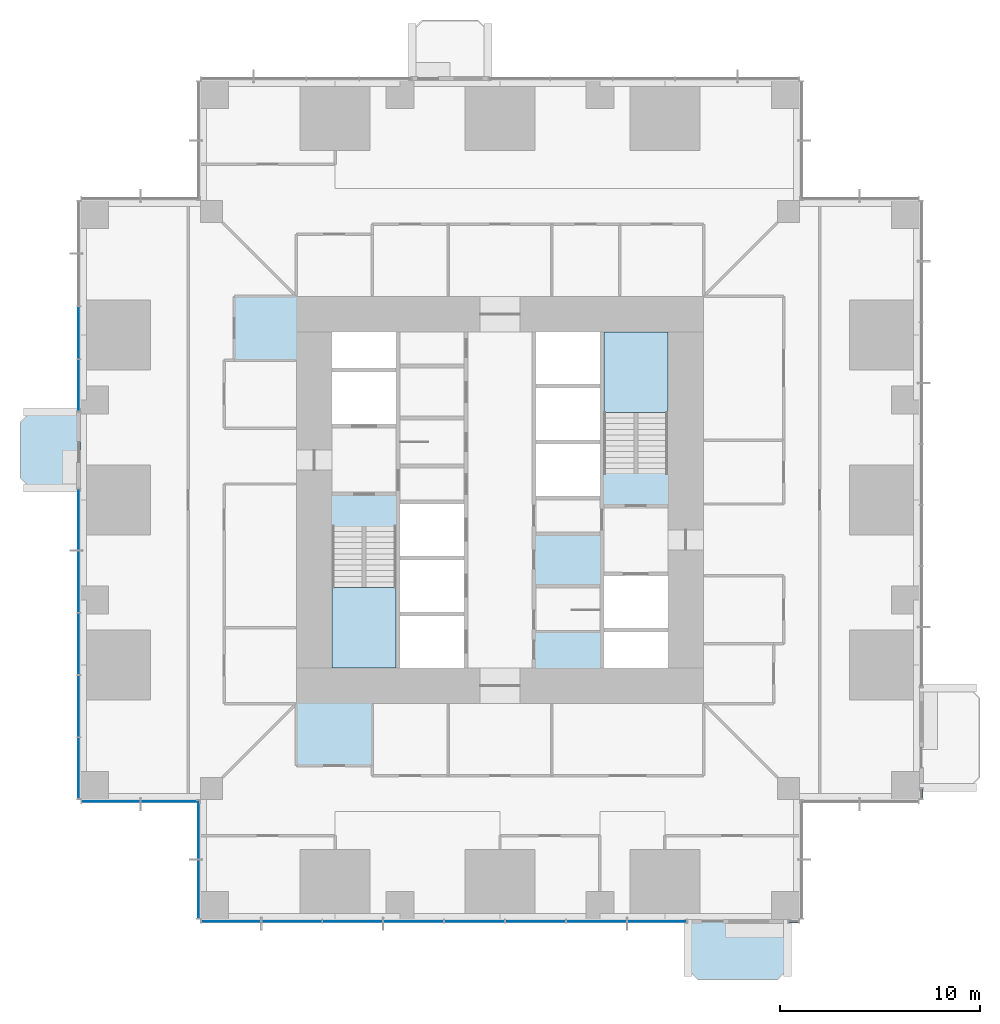
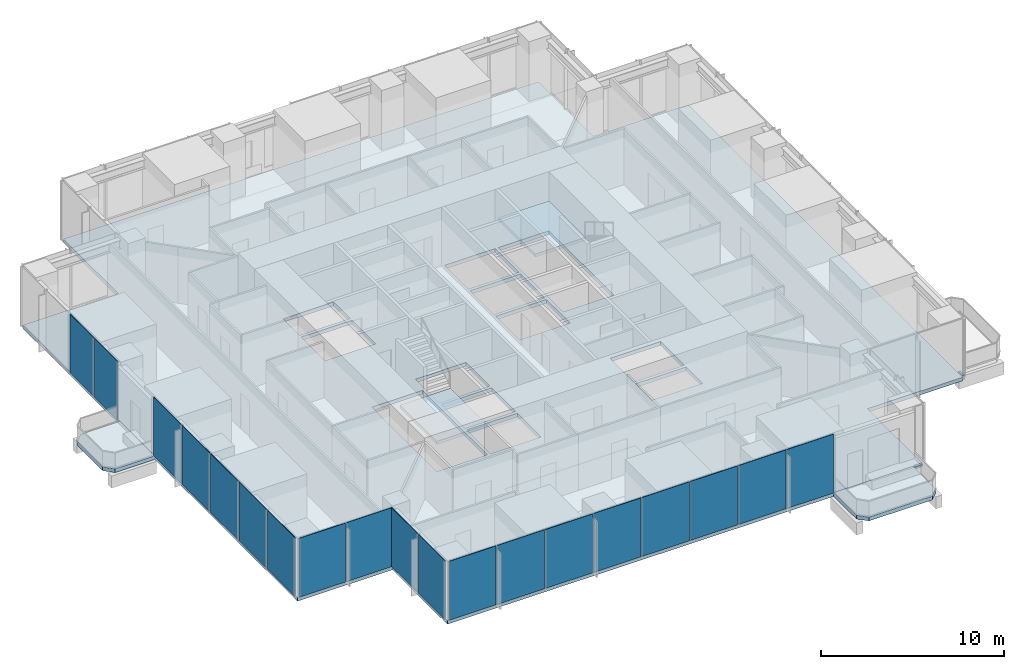
# One storey, part 7 of 15: 19 plates, 5 slabs, 2 members, 9 elements without a shape of their own.
"""IFC4 building model written with IfcOpenShell, lengths in metres."""

from ifc_helpers import new_model, si_unit, direction, frame, origin, origin_2d, place, context, subcontext, project, spatial, polyline, rectangle, outline, extrude, material, layer, layer_set, material_profile, profile_set, type_object, element, aggregate, save


model = new_model("IFC4")

# Units and contexts
model_context = context("Model", 3, precision=1e-05, world=origin(), true_north=direction((0.0, 1.0)))
body_context = subcontext(model_context, "Body", "Model", "MODEL_VIEW")
ifc_project = project(units=[si_unit("LENGTHUNIT", "METRE"), si_unit("AREAUNIT", "SQUARE_METRE"), si_unit("VOLUMEUNIT", "CUBIC_METRE"), si_unit("PLANEANGLEUNIT", "RADIAN"), si_unit("MASSUNIT", "GRAM", prefix="KILO")], contexts=[model_context])

# Site, building, storey
site_placement = place(None, origin())
site = spatial("IfcSite", under=ifc_project, at=site_placement, CompositionType="ELEMENT")
building_placement = place(site_placement, origin())
building = spatial("IfcBuilding", under=site, at=building_placement, Name="Svetlomir Tower", CompositionType="ELEMENT")
storey_placement = place(building_placement, frame((0.0, 0.0, 26.5)))
storey = spatial("IfcBuildingStorey", under=building, at=storey_placement, Name="L05", CompositionType="ELEMENT", Elevation=26.5)

# Curtain wall, member
ifc_material_1 = material(Name="Bronze anodised aluminium curtain wall", Category="aluminium")
curtain_wall_type = type_object("IfcCurtainWallType", Name="CURTAIN WALL CW1 TOWER OFFICE", PredefinedType="NOTDEFINED", material=ifc_material_1)
curtain_wall_1_placement = place(storey_placement, origin())
curtain_wall_1 = element("IfcCurtainWall", 1, at=curtain_wall_1_placement, inside=storey, type_object=curtain_wall_type, Name="Curtain wall CW1 L05", PredefinedType="NOTDEFINED")
ifc_material_2 = material(Name="Bronze anodised aluminium", Category="aluminium")
ifc_material_profile = material_profile(ifc_material_2, rectangle(XDim=0.139892578125, YDim=0.06494140625, at=origin_2d()), Name="AL 140x65")
ifc_profile_set = profile_set([ifc_material_profile], Name="Bronze anodised aluminium 6063-T6")
member_type = type_object("IfcMemberType", Name="CW1 TRANSOM 65x140", PredefinedType="USERDEFINED", material=ifc_profile_set)
member_1_placement = place(storey_placement, frame((35.465087890625, -0.10009765625, 0.032470703125), z_axis=(1.0, 0.0, 0.0), x_axis=(0.0, 1.0, 0.0)))
member_1 = element("IfcMember", 2, at=member_1_placement, type_object=member_type, Name="CW1 transom 1.1", ObjectType="TRANSOM", PredefinedType="USERDEFINED", context=body_context, shape_type="SweptSolid", body=[
    extrude(rectangle(XDim=0.139892578125, YDim=0.06494140625, at=origin_2d()), origin(), (0.0, 0.0, 1.0), 0.469970703125),
])
aggregate(curtain_wall_1, [member_1])

curtain_wall_2_placement = place(storey_placement, origin())
curtain_wall_2 = element("IfcCurtainWall", 3, at=curtain_wall_2_placement, inside=storey, type_object=curtain_wall_type, Name="Curtain wall CW1 L05", PredefinedType="NOTDEFINED")
member_2_placement = place(storey_placement, frame((42.10009765625, 6.06494140625, 0.032470703125), z_axis=(0.0, 1.0, 0.0), x_axis=(-1.0, 0.0, 0.0)))
member_2 = element("IfcMember", 4, at=member_2_placement, type_object=member_type, Name="CW1 transom 1.1", ObjectType="TRANSOM", PredefinedType="USERDEFINED", context=body_context, shape_type="SweptSolid", body=[
    extrude(rectangle(XDim=0.139892578125, YDim=0.06494140625, at=origin_2d()), origin(), (0.0, 0.0, 1.0), 0.469970703125),
])
aggregate(curtain_wall_2, [member_2])

# Slabs
ifc_material_3 = material(Name="Concrete C60/75", Category="concrete")
ifc_layer_1 = layer(ifc_material_3, 0.25)
ifc_layer_set_1 = layer_set([ifc_layer_1], Name="Concrete C60/75")
slab_type_1 = type_object("IfcSlabType", Name="BALCONY SLAB 250", PredefinedType="FLOOR", material=ifc_layer_set_1)
slab_1_placement = place(storey_placement, frame((0.0, 0.0, -0.25)))
element("IfcSlab", 5, at=slab_1_placement, inside=storey, type_object=slab_type_1, Name="L05 S planted balcony", PredefinedType="FLOOR", context=body_context, shape_type="SweptSolid", body=[
    extrude(outline(polyline([(30.39990234375, -2.5), (30.89990234375, -3.0), (34.89990234375, -3.0), (35.39990234375, -2.5), (35.39990234375, 0.0), (30.39990234375, 0.0), (30.39990234375, -2.5)])), origin(), (0.0, 0.0, 1.0), 0.25),
])
slab_2_placement = place(storey_placement, frame((0.0, 0.0, -0.25)))
element("IfcSlab", 6, at=slab_2_placement, inside=storey, type_object=slab_type_1, Name="L05 W planted balcony", PredefinedType="FLOOR", context=body_context, shape_type="SweptSolid", body=[
    extrude(outline(polyline([(-2.5, 21.60009765625), (0.0, 21.60009765625), (0.0, 25.39990234375), (-2.5, 25.39990234375), (-3.0, 24.89990234375), (-3.0, 22.10009765625), (-2.5, 21.60009765625)])), origin(), (0.0, 0.0, 1.0), 0.25),
])

# Curtain wall, plates
curtain_wall_3_placement = place(storey_placement, origin())
curtain_wall_3 = element("IfcCurtainWall", 7, at=curtain_wall_3_placement, inside=storey, type_object=curtain_wall_type, Name="Curtain wall CW1 L05", PredefinedType="NOTDEFINED")
ifc_material_4 = material(Name="Tinted double glazed unit", Category="glass")
ifc_layer_2 = layer(ifc_material_4, 0.031982421875)
ifc_layer_set_2 = layer_set([ifc_layer_2], Name="Tinted double glazed unit")
plate_type = type_object("IfcPlateType", Name="CW1 GLAZED PANEL 32", PredefinedType="CURTAIN_PANEL", material=ifc_layer_set_2)
plate_1_placement = place(storey_placement, frame((7.541259765625, -0.10009765625, 0.06494140625), z_axis=(0.0, 0.0, 1.0), x_axis=(1.0, 0.0, 0.0)))
plate_1 = element("IfcPlate", 8, at=plate_1_placement, type_object=plate_type, Name="CW1 panel 1.1", PredefinedType="CURTAIN_PANEL", context=body_context, shape_type="SweptSolid", body=[
    extrude(rectangle(XDim=2.952392578125, YDim=0.031982421875, at=origin_2d()), origin(), (0.0, 0.0, 1.0), 3.93505859375),
])
plate_2_placement = place(storey_placement, frame((10.574951171875, -0.10009765625, 0.06494140625), z_axis=(0.0, 0.0, 1.0), x_axis=(1.0, 0.0, 0.0)))
plate_2 = element("IfcPlate", 9, at=plate_2_placement, type_object=plate_type, Name="CW1 panel 2.1", PredefinedType="CURTAIN_PANEL", context=body_context, shape_type="SweptSolid", body=[
    extrude(rectangle(XDim=2.985107421875, YDim=0.031982421875, at=origin_2d()), origin(), (0.0, 0.0, 1.0), 3.93505859375),
])
plate_3_placement = place(storey_placement, frame((13.625, -0.10009765625, 0.06494140625), z_axis=(0.0, 0.0, 1.0), x_axis=(1.0, 0.0, 0.0)))
plate_3 = element("IfcPlate", 10, at=plate_3_placement, type_object=plate_type, Name="CW1 panel 3.1", PredefinedType="CURTAIN_PANEL", context=body_context, shape_type="SweptSolid", body=[
    extrude(rectangle(XDim=2.985107421875, YDim=0.031982421875, at=origin_2d()), origin(), (0.0, 0.0, 1.0), 3.93505859375),
])
plate_4_placement = place(storey_placement, frame((16.675048828125, -0.10009765625, 0.06494140625), z_axis=(0.0, 0.0, 1.0), x_axis=(1.0, 0.0, 0.0)))
plate_4 = element("IfcPlate", 11, at=plate_4_placement, type_object=plate_type, Name="CW1 panel 4.1", PredefinedType="CURTAIN_PANEL", context=body_context, shape_type="SweptSolid", body=[
    extrude(rectangle(XDim=2.985107421875, YDim=0.031982421875, at=origin_2d()), origin(), (0.0, 0.0, 1.0), 3.93505859375),
])
plate_5_placement = place(storey_placement, frame((19.72509765625, -0.10009765625, 0.06494140625), z_axis=(0.0, 0.0, 1.0), x_axis=(1.0, 0.0, 0.0)))
plate_5 = element("IfcPlate", 12, at=plate_5_placement, type_object=plate_type, Name="CW1 panel 5.1", PredefinedType="CURTAIN_PANEL", context=body_context, shape_type="SweptSolid", body=[
    extrude(rectangle(XDim=2.985107421875, YDim=0.031982421875, at=origin_2d()), origin(), (0.0, 0.0, 1.0), 3.93505859375),
])
plate_6_placement = place(storey_placement, frame((22.77490234375, -0.10009765625, 0.06494140625), z_axis=(0.0, 0.0, 1.0), x_axis=(1.0, 0.0, 0.0)))
plate_6 = element("IfcPlate", 13, at=plate_6_placement, type_object=plate_type, Name="CW1 panel 6.1", PredefinedType="CURTAIN_PANEL", context=body_context, shape_type="SweptSolid", body=[
    extrude(rectangle(XDim=2.985107421875, YDim=0.031982421875, at=origin_2d()), origin(), (0.0, 0.0, 1.0), 3.93505859375),
])
plate_7_placement = place(storey_placement, frame((25.824951171875, -0.10009765625, 0.06494140625), z_axis=(0.0, 0.0, 1.0), x_axis=(1.0, 0.0, 0.0)))
plate_7 = element("IfcPlate", 14, at=plate_7_placement, type_object=plate_type, Name="CW1 panel 7.1", PredefinedType="CURTAIN_PANEL", context=body_context, shape_type="SweptSolid", body=[
    extrude(rectangle(XDim=2.985107421875, YDim=0.031982421875, at=origin_2d()), origin(), (0.0, 0.0, 1.0), 3.93505859375),
])
plate_8_placement = place(storey_placement, frame((28.858642578125, -0.10009765625, 0.06494140625), z_axis=(0.0, 0.0, 1.0), x_axis=(1.0, 0.0, 0.0)))
plate_8 = element("IfcPlate", 15, at=plate_8_placement, type_object=plate_type, Name="CW1 panel 8.1", PredefinedType="CURTAIN_PANEL", context=body_context, shape_type="SweptSolid", body=[
    extrude(rectangle(XDim=2.952392578125, YDim=0.031982421875, at=origin_2d()), origin(), (0.0, 0.0, 1.0), 3.93505859375),
])
aggregate(curtain_wall_3, [plate_1, plate_2, plate_3, plate_4, plate_5, plate_6, plate_7, plate_8])

curtain_wall_4_placement = place(storey_placement, origin())
curtain_wall_4 = element("IfcCurtainWall", 16, at=curtain_wall_4_placement, inside=storey, type_object=curtain_wall_type, Name="Curtain wall CW1 L05", PredefinedType="NOTDEFINED")
plate_9_placement = place(storey_placement, frame((-0.10009765625, 29.375, 0.06494140625), z_axis=(0.0, 0.0, 1.0), x_axis=(0.0, -1.0, 0.0)))
plate_9 = element("IfcPlate", 17, at=plate_9_placement, type_object=plate_type, Name="CW1 panel 3.1", PredefinedType="CURTAIN_PANEL", context=body_context, shape_type="SweptSolid", body=[
    extrude(rectangle(XDim=2.5849609375, YDim=0.031982421875, at=origin_2d()), origin(), (0.0, 0.0, 1.0), 3.93505859375),
])
plate_10_placement = place(storey_placement, frame((-0.10009765625, 26.7412109375, 0.06494140625), z_axis=(0.0, 0.0, 1.0), x_axis=(0.0, -1.0, 0.0)))
plate_10 = element("IfcPlate", 18, at=plate_10_placement, type_object=plate_type, Name="CW1 panel 4.1", PredefinedType="CURTAIN_PANEL", context=body_context, shape_type="SweptSolid", body=[
    extrude(rectangle(XDim=2.552490234375, YDim=0.031982421875, at=origin_2d()), origin(), (0.0, 0.0, 1.0), 3.93505859375),
])
aggregate(curtain_wall_4, [plate_9, plate_10])

curtain_wall_5_placement = place(storey_placement, origin())
curtain_wall_5 = element("IfcCurtainWall", 19, at=curtain_wall_5_placement, inside=storey, type_object=curtain_wall_type, Name="Curtain wall CW1 L05", PredefinedType="NOTDEFINED")
plate_11_placement = place(storey_placement, frame((-0.10009765625, 20.023681640625, 0.06494140625), z_axis=(0.0, 0.0, 1.0), x_axis=(0.0, -1.0, 0.0)))
plate_11 = element("IfcPlate", 20, at=plate_11_placement, type_object=plate_type, Name="CW1 panel 1.1", PredefinedType="CURTAIN_PANEL", context=body_context, shape_type="SweptSolid", body=[
    extrude(rectangle(XDim=3.0224609375, YDim=0.031982421875, at=origin_2d()), origin(), (0.0, 0.0, 1.0), 3.93505859375),
])
plate_12_placement = place(storey_placement, frame((-0.10009765625, 16.919921875, 0.06494140625), z_axis=(0.0, 0.0, 1.0), x_axis=(0.0, -1.0, 0.0)))
plate_12 = element("IfcPlate", 21, at=plate_12_placement, type_object=plate_type, Name="CW1 panel 2.1", PredefinedType="CURTAIN_PANEL", context=body_context, shape_type="SweptSolid", body=[
    extrude(rectangle(XDim=3.054931640625, YDim=0.031982421875, at=origin_2d()), origin(), (0.0, 0.0, 1.0), 3.93505859375),
])
plate_13_placement = place(storey_placement, frame((-0.10009765625, 13.800048828125, 0.06494140625), z_axis=(0.0, 0.0, 1.0), x_axis=(0.0, -1.0, 0.0)))
plate_13 = element("IfcPlate", 22, at=plate_13_placement, type_object=plate_type, Name="CW1 panel 3.1", PredefinedType="CURTAIN_PANEL", context=body_context, shape_type="SweptSolid", body=[
    extrude(rectangle(XDim=3.054931640625, YDim=0.031982421875, at=origin_2d()), origin(), (0.0, 0.0, 1.0), 3.93505859375),
])
plate_14_placement = place(storey_placement, frame((-0.10009765625, 10.679931640625, 0.06494140625), z_axis=(0.0, 0.0, 1.0), x_axis=(0.0, -1.0, 0.0)))
plate_14 = element("IfcPlate", 23, at=plate_14_placement, type_object=plate_type, Name="CW1 panel 4.1", PredefinedType="CURTAIN_PANEL", context=body_context, shape_type="SweptSolid", body=[
    extrude(rectangle(XDim=3.054931640625, YDim=0.031982421875, at=origin_2d()), origin(), (0.0, 0.0, 1.0), 3.93505859375),
])
plate_15_placement = place(storey_placement, frame((-0.10009765625, 7.576171875, 0.06494140625), z_axis=(0.0, 0.0, 1.0), x_axis=(0.0, -1.0, 0.0)))
plate_15 = element("IfcPlate", 24, at=plate_15_placement, type_object=plate_type, Name="CW1 panel 5.1", PredefinedType="CURTAIN_PANEL", context=body_context, shape_type="SweptSolid", body=[
    extrude(rectangle(XDim=3.0224609375, YDim=0.031982421875, at=origin_2d()), origin(), (0.0, 0.0, 1.0), 3.93505859375),
])
aggregate(curtain_wall_5, [plate_11, plate_12, plate_13, plate_14, plate_15])

curtain_wall_6_placement = place(storey_placement, origin())
curtain_wall_6 = element("IfcCurtainWall", 25, at=curtain_wall_6_placement, inside=storey, type_object=curtain_wall_type, Name="Curtain wall CW1 L05", PredefinedType="NOTDEFINED")
plate_16_placement = place(storey_placement, frame((1.516357421875, 5.89990234375, 0.06494140625), z_axis=(0.0, 0.0, 1.0), x_axis=(1.0, 0.0, 0.0)))
plate_16 = element("IfcPlate", 26, at=plate_16_placement, type_object=plate_type, Name="CW1 panel 1.1", PredefinedType="CURTAIN_PANEL", context=body_context, shape_type="SweptSolid", body=[
    extrude(rectangle(XDim=2.902587890625, YDim=0.031982421875, at=origin_2d()), origin(), (0.0, 0.0, 1.0), 3.93505859375),
])
plate_17_placement = place(storey_placement, frame((4.483642578125, 5.89990234375, 0.06494140625), z_axis=(0.0, 0.0, 1.0), x_axis=(1.0, 0.0, 0.0)))
plate_17 = element("IfcPlate", 27, at=plate_17_placement, type_object=plate_type, Name="CW1 panel 2.1", PredefinedType="CURTAIN_PANEL", context=body_context, shape_type="SweptSolid", body=[
    extrude(rectangle(XDim=2.902587890625, YDim=0.031982421875, at=origin_2d()), origin(), (0.0, 0.0, 1.0), 3.93505859375),
])
aggregate(curtain_wall_6, [plate_16, plate_17])

curtain_wall_7_placement = place(storey_placement, origin())
curtain_wall_7 = element("IfcCurtainWall", 28, at=curtain_wall_7_placement, inside=storey, type_object=curtain_wall_type, Name="Curtain wall CW1 L05", PredefinedType="NOTDEFINED")
plate_18_placement = place(storey_placement, frame((5.89990234375, 4.483642578125, 0.06494140625), z_axis=(0.0, 0.0, 1.0), x_axis=(0.0, -1.0, 0.0)))
plate_18 = element("IfcPlate", 29, at=plate_18_placement, type_object=plate_type, Name="CW1 panel 1.1", PredefinedType="CURTAIN_PANEL", context=body_context, shape_type="SweptSolid", body=[
    extrude(rectangle(XDim=2.902587890625, YDim=0.031982421875, at=origin_2d()), origin(), (0.0, 0.0, 1.0), 3.93505859375),
])
plate_19_placement = place(storey_placement, frame((5.89990234375, 1.516357421875, 0.06494140625), z_axis=(0.0, 0.0, 1.0), x_axis=(0.0, -1.0, 0.0)))
plate_19 = element("IfcPlate", 30, at=plate_19_placement, type_object=plate_type, Name="CW1 panel 2.1", PredefinedType="CURTAIN_PANEL", context=body_context, shape_type="SweptSolid", body=[
    extrude(rectangle(XDim=2.902587890625, YDim=0.031982421875, at=origin_2d()), origin(), (0.0, 0.0, 1.0), 3.93505859375),
])
aggregate(curtain_wall_7, [plate_18, plate_19])

# Slab
ifc_material_5 = material(Name="Concrete C60/75", Category="concrete")
ifc_layer_3 = layer(ifc_material_5, 0.25)
ifc_layer_set_3 = layer_set([ifc_layer_3], Name="Concrete C60/75")
slab_type_2 = type_object("IfcSlabType", Name="FLOOR SLAB 250", PredefinedType="FLOOR", material=ifc_layer_set_3)
slab_3_placement = place(storey_placement, frame((0.0, 0.0, -0.25)))
element("IfcSlab", 31, at=slab_3_placement, inside=storey, type_object=slab_type_2, Name="L05 floor slab", PredefinedType="FLOOR", context=body_context, shape_type="SweptSolid", body=[
    extrude(outline(polyline([(6.0, 0.0), (36.0, 0.0), (36.0, 6.0), (42.0, 6.0), (42.0, 36.0), (36.0, 36.0), (36.0, 42.0), (6.0, 42.0), (6.0, 36.0), (0.0, 36.0), (0.0, 6.0), (6.0, 6.0), (6.0, 0.0)]), holes=[polyline([(12.60009765625, 24.800048828125), (15.800048828125, 24.800048828125), (15.800048828125, 27.39990234375), (12.60009765625, 27.39990234375), (12.60009765625, 24.800048828125)]), polyline([(26.199951171875, 14.60009765625), (29.39990234375, 14.60009765625), (29.39990234375, 17.199951171875), (26.199951171875, 17.199951171875), (26.199951171875, 14.60009765625)]), polyline([(16.0, 12.60009765625), (19.199951171875, 12.60009765625), (19.199951171875, 15.199951171875), (16.0, 15.199951171875), (16.0, 12.60009765625)]), polyline([(16.0, 15.39990234375), (19.199951171875, 15.39990234375), (19.199951171875, 18.0), (16.0, 18.0), (16.0, 15.39990234375)]), polyline([(16.0, 18.199951171875), (19.199951171875, 18.199951171875), (19.199951171875, 20.800048828125), (16.0, 20.800048828125), (16.0, 18.199951171875)]), polyline([(22.800048828125, 21.199951171875), (26.0, 21.199951171875), (26.0, 23.800048828125), (22.800048828125, 23.800048828125), (22.800048828125, 21.199951171875)]), polyline([(22.800048828125, 24.0), (26.0, 24.0), (26.0, 26.60009765625), (22.800048828125, 26.60009765625), (22.800048828125, 24.0)]), polyline([(22.800048828125, 26.800048828125), (26.0, 26.800048828125), (26.0, 29.39990234375), (22.800048828125, 29.39990234375), (22.800048828125, 26.800048828125)]), polyline([(12.60009765625, 27.60009765625), (15.800048828125, 27.60009765625), (15.800048828125, 29.39990234375), (12.60009765625, 29.39990234375), (12.60009765625, 27.60009765625)]), polyline([(26.199951171875, 12.60009765625), (29.39990234375, 12.60009765625), (29.39990234375, 14.39990234375), (26.199951171875, 14.39990234375), (26.199951171875, 12.60009765625)]), polyline([(12.60009765625, 12.60009765625), (15.800048828125, 12.60009765625), (15.800048828125, 19.679931640625), (12.60009765625, 19.679931640625), (12.60009765625, 12.60009765625)]), polyline([(26.199951171875, 22.320068359375), (29.39990234375, 22.320068359375), (29.39990234375, 29.39990234375), (26.199951171875, 29.39990234375), (26.199951171875, 22.320068359375)])]), origin(), (0.0, 0.0, 1.0), 0.25),
])

# Stair, slab
ifc_material_6 = material(Name="Concrete C60/75", Category="concrete")
stair_type = type_object("IfcStairType", Name="EXIT STAIR 3200 RISE 4000", PredefinedType="HALF_TURN_STAIR", material=ifc_material_6)
stair_1_placement = place(storey_placement, origin())
stair_1 = element("IfcStair", 32, at=stair_1_placement, inside=storey, type_object=stair_type, Name="Stair S1 L05 to L06", PredefinedType="HALF_TURN_STAIR")
ifc_material_7 = material(Name="Concrete C60/75", Category="concrete")
ifc_layer_4 = layer(ifc_material_7, 0.199951171875)
ifc_layer_set_4 = layer_set([ifc_layer_4], Name="Concrete C60/75")
slab_type_3 = type_object("IfcSlabType", Name="STAIR LANDING 200", PredefinedType="LANDING", material=ifc_layer_set_4)
slab_4_placement = place(storey_placement, frame((0.0, 0.0, 1.800048828125)))
slab_4 = element("IfcSlab", 33, at=slab_4_placement, type_object=slab_type_3, Name="S1 landing 1", PredefinedType="LANDING", context=body_context, shape_type="SweptSolid", body=[
    extrude(outline(polyline([(12.60009765625, 12.60009765625), (15.800048828125, 12.60009765625), (15.800048828125, 16.6201171875), (12.60009765625, 16.6201171875), (12.60009765625, 12.60009765625)])), origin(), (0.0, 0.0, 1.0), 0.199951171875),
])
aggregate(stair_1, [slab_4])

stair_2_placement = place(storey_placement, origin())
stair_2 = element("IfcStair", 34, at=stair_2_placement, inside=storey, type_object=stair_type, Name="Stair S2 L05 to L06", PredefinedType="HALF_TURN_STAIR")
slab_5_placement = place(storey_placement, frame((0.0, 0.0, 1.800048828125)))
slab_5 = element("IfcSlab", 35, at=slab_5_placement, type_object=slab_type_3, Name="S2 landing 1", PredefinedType="LANDING", context=body_context, shape_type="SweptSolid", body=[
    extrude(outline(polyline([(26.199951171875, 25.3798828125), (29.39990234375, 25.3798828125), (29.39990234375, 29.39990234375), (26.199951171875, 29.39990234375), (26.199951171875, 25.3798828125)])), origin(), (0.0, 0.0, 1.0), 0.199951171875),
])
aggregate(stair_2, [slab_5])

save(model, "model.ifc")
